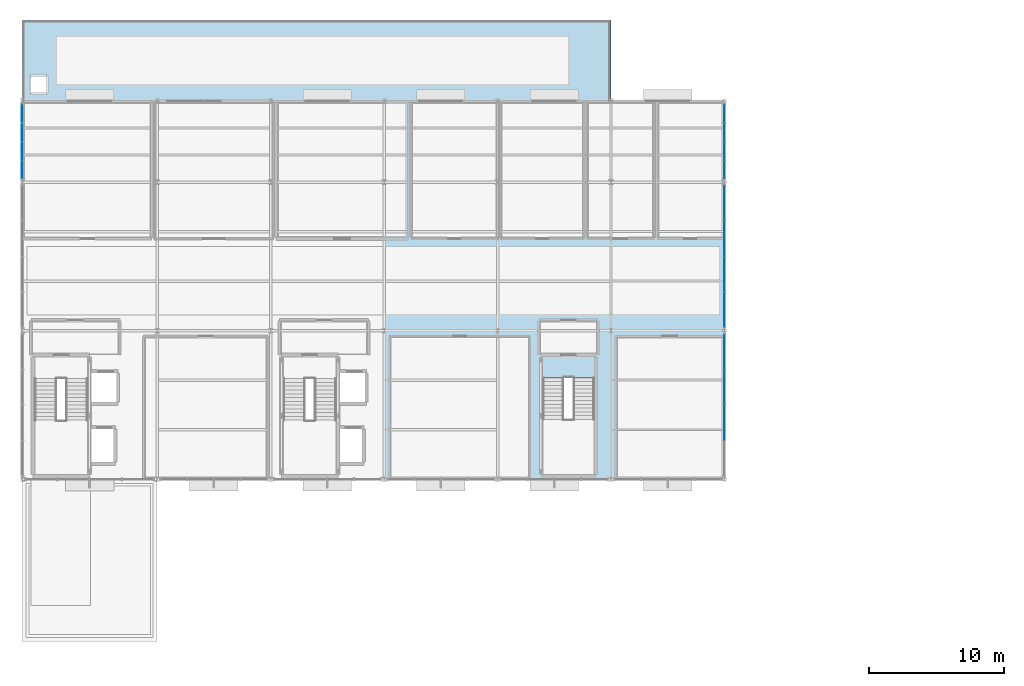
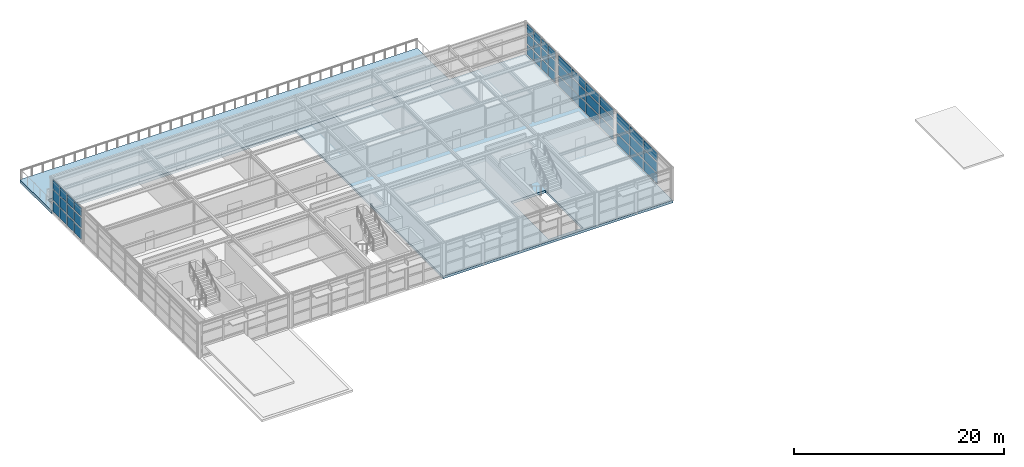
# One storey, part 12 of 21: 45 plates, 2 slabs, 4 elements without a shape of their own.
"""IFC4 building model written with IfcOpenShell, lengths in metres."""

from ifc_helpers import new_model, si_unit, direction, frame, origin, origin_2d, place, context, subcontext, project, spatial, polyline, rectangle, outline, extrude, material, layer, layer_set, type_object, element, aggregate, save


model = new_model("IFC4")

# Units and contexts
model_context = context("Model", 3, precision=1e-05, world=origin(), true_north=direction((0.0, 1.0)))
body_context = subcontext(model_context, "Body", "Model", "MODEL_VIEW")
ifc_project = project(units=[si_unit("LENGTHUNIT", "METRE"), si_unit("AREAUNIT", "SQUARE_METRE"), si_unit("VOLUMEUNIT", "CUBIC_METRE"), si_unit("PLANEANGLEUNIT", "RADIAN"), si_unit("MASSUNIT", "GRAM", prefix="KILO")], contexts=[model_context])

# Site, building, storey
site_placement = place(None, origin())
site = spatial("IfcSite", under=ifc_project, at=site_placement, CompositionType="ELEMENT")
building_placement = place(site_placement, origin())
building = spatial("IfcBuilding", under=site, at=building_placement, Name="Sitalva Quay Ferry Terminal", CompositionType="ELEMENT")
storey_placement = place(building_placement, frame((0.0, 0.0, 14.39990234375)))
storey = spatial("IfcBuildingStorey", under=building, at=storey_placement, Name="L04", CompositionType="ELEMENT", Elevation=14.39990234375)

# Curtain wall, plates
ifc_material_1 = material(Name="Anodised Aluminium & Low-E Glazing", Category="aluminium")
ifc_layer_1 = layer(ifc_material_1, 0.159912109375)
ifc_layer_set_1 = layer_set([ifc_layer_1], Name="Anodised Aluminium & Low-E Glazing")
curtain_wall_type = type_object("IfcCurtainWallType", Name="CW_Office_Unitised", PredefinedType="USERDEFINED", material=ifc_layer_set_1)
curtain_wall_1_placement = place(storey_placement, origin())
curtain_wall_1 = element("IfcCurtainWall", 1, at=curtain_wall_1_placement, inside=storey, type_object=curtain_wall_type, Name="L04 pilotage east glazing (CW-L04-138)", ObjectType="CURTAIN_WALL", PredefinedType="USERDEFINED")
ifc_material_2 = material(Name="Solar-Control Low-E Glazing", Category="glass")
ifc_layer_2 = layer(ifc_material_2, 0.031982421875)
ifc_layer_set_2 = layer_set([ifc_layer_2], Name="Solar-Control Low-E Glazing")
plate_type = type_object("IfcPlateType", Name="Panel_Solar_IGU_32", PredefinedType="CURTAIN_PANEL", material=ifc_layer_set_2)
plate_1_placement = place(storey_placement, frame((126.0, 82.1875, 0.150146484375), z_axis=(0.0, 0.0, 1.0), x_axis=(0.0, 1.0, 0.0)))
plate_1 = element("IfcPlate", 2, at=plate_1_placement, type_object=plate_type, Name="CW-L04-138-P1-0", PredefinedType="CURTAIN_PANEL", context=body_context, shape_type="SweptSolid", body=[
    extrude(rectangle(XDim=2.550048828125, YDim=0.031982421875, at=origin_2d()), origin(), (0.0, 0.0, 1.0), 1.13330078125),
])
plate_2_placement = place(storey_placement, frame((126.0, 82.1875, 1.433349609375), z_axis=(0.0, 0.0, 1.0), x_axis=(0.0, 1.0, 0.0)))
plate_2 = element("IfcPlate", 3, at=plate_2_placement, type_object=plate_type, Name="CW-L04-138-P1-1", PredefinedType="CURTAIN_PANEL", context=body_context, shape_type="SweptSolid", body=[
    extrude(rectangle(XDim=2.550048828125, YDim=0.031982421875, at=origin_2d()), origin(), (0.0, 0.0, 1.0), 1.13330078125),
])
plate_3_placement = place(storey_placement, frame((126.0, 82.1875, 2.716796875), z_axis=(0.0, 0.0, 1.0), x_axis=(0.0, 1.0, 0.0)))
plate_3 = element("IfcPlate", 4, at=plate_3_placement, type_object=plate_type, Name="CW-L04-138-P1-2", PredefinedType="CURTAIN_PANEL", context=body_context, shape_type="SweptSolid", body=[
    extrude(rectangle(XDim=2.550048828125, YDim=0.031982421875, at=origin_2d()), origin(), (0.0, 0.0, 1.0), 0.9833984375),
])
plate_4_placement = place(storey_placement, frame((126.0, 84.8125, 0.150146484375), z_axis=(0.0, 0.0, 1.0), x_axis=(0.0, 1.0, 0.0)))
plate_4 = element("IfcPlate", 5, at=plate_4_placement, type_object=plate_type, Name="CW-L04-138-P2-0", PredefinedType="CURTAIN_PANEL", context=body_context, shape_type="SweptSolid", body=[
    extrude(rectangle(XDim=2.550048828125, YDim=0.031982421875, at=origin_2d()), origin(), (0.0, 0.0, 1.0), 1.13330078125),
])
plate_5_placement = place(storey_placement, frame((126.0, 84.8125, 1.433349609375), z_axis=(0.0, 0.0, 1.0), x_axis=(0.0, 1.0, 0.0)))
plate_5 = element("IfcPlate", 6, at=plate_5_placement, type_object=plate_type, Name="CW-L04-138-P2-1", PredefinedType="CURTAIN_PANEL", context=body_context, shape_type="SweptSolid", body=[
    extrude(rectangle(XDim=2.550048828125, YDim=0.031982421875, at=origin_2d()), origin(), (0.0, 0.0, 1.0), 1.13330078125),
])
plate_6_placement = place(storey_placement, frame((126.0, 84.8125, 2.716796875), z_axis=(0.0, 0.0, 1.0), x_axis=(0.0, 1.0, 0.0)))
plate_6 = element("IfcPlate", 7, at=plate_6_placement, type_object=plate_type, Name="CW-L04-138-P2-2", PredefinedType="CURTAIN_PANEL", context=body_context, shape_type="SweptSolid", body=[
    extrude(rectangle(XDim=2.550048828125, YDim=0.031982421875, at=origin_2d()), origin(), (0.0, 0.0, 1.0), 0.9833984375),
])
plate_7_placement = place(storey_placement, frame((126.0, 87.4375, 0.150146484375), z_axis=(0.0, 0.0, 1.0), x_axis=(0.0, 1.0, 0.0)))
plate_7 = element("IfcPlate", 8, at=plate_7_placement, type_object=plate_type, Name="CW-L04-138-P3-0", PredefinedType="CURTAIN_PANEL", context=body_context, shape_type="SweptSolid", body=[
    extrude(rectangle(XDim=2.550048828125, YDim=0.031982421875, at=origin_2d()), origin(), (0.0, 0.0, 1.0), 1.13330078125),
])
plate_8_placement = place(storey_placement, frame((126.0, 87.4375, 1.433349609375), z_axis=(0.0, 0.0, 1.0), x_axis=(0.0, 1.0, 0.0)))
plate_8 = element("IfcPlate", 9, at=plate_8_placement, type_object=plate_type, Name="CW-L04-138-P3-1", PredefinedType="CURTAIN_PANEL", context=body_context, shape_type="SweptSolid", body=[
    extrude(rectangle(XDim=2.550048828125, YDim=0.031982421875, at=origin_2d()), origin(), (0.0, 0.0, 1.0), 1.13330078125),
])
plate_9_placement = place(storey_placement, frame((126.0, 87.4375, 2.716796875), z_axis=(0.0, 0.0, 1.0), x_axis=(0.0, 1.0, 0.0)))
plate_9 = element("IfcPlate", 10, at=plate_9_placement, type_object=plate_type, Name="CW-L04-138-P3-2", PredefinedType="CURTAIN_PANEL", context=body_context, shape_type="SweptSolid", body=[
    extrude(rectangle(XDim=2.550048828125, YDim=0.031982421875, at=origin_2d()), origin(), (0.0, 0.0, 1.0), 0.9833984375),
])
aggregate(curtain_wall_1, [plate_1, plate_2, plate_3, plate_4, plate_5, plate_6, plate_7, plate_8, plate_9])

curtain_wall_2_placement = place(storey_placement, origin())
curtain_wall_2 = element("IfcCurtainWall", 11, at=curtain_wall_2_placement, inside=storey, type_object=curtain_wall_type, Name="L04 pilotage east glazing (CW-L04-140)", ObjectType="CURTAIN_WALL", PredefinedType="USERDEFINED")
plate_10_placement = place(storey_placement, frame((126.0, 90.5625, 0.150146484375), z_axis=(0.0, 0.0, 1.0), x_axis=(0.0, 1.0, 0.0)))
plate_10 = element("IfcPlate", 12, at=plate_10_placement, type_object=plate_type, Name="CW-L04-140-P0-0", PredefinedType="CURTAIN_PANEL", context=body_context, shape_type="SweptSolid", body=[
    extrude(rectangle(XDim=2.550048828125, YDim=0.031982421875, at=origin_2d()), origin(), (0.0, 0.0, 1.0), 1.13330078125),
])
plate_11_placement = place(storey_placement, frame((126.0, 90.5625, 1.433349609375), z_axis=(0.0, 0.0, 1.0), x_axis=(0.0, 1.0, 0.0)))
plate_11 = element("IfcPlate", 13, at=plate_11_placement, type_object=plate_type, Name="CW-L04-140-P0-1", PredefinedType="CURTAIN_PANEL", context=body_context, shape_type="SweptSolid", body=[
    extrude(rectangle(XDim=2.550048828125, YDim=0.031982421875, at=origin_2d()), origin(), (0.0, 0.0, 1.0), 1.13330078125),
])
plate_12_placement = place(storey_placement, frame((126.0, 90.5625, 2.716796875), z_axis=(0.0, 0.0, 1.0), x_axis=(0.0, 1.0, 0.0)))
plate_12 = element("IfcPlate", 14, at=plate_12_placement, type_object=plate_type, Name="CW-L04-140-P0-2", PredefinedType="CURTAIN_PANEL", context=body_context, shape_type="SweptSolid", body=[
    extrude(rectangle(XDim=2.550048828125, YDim=0.031982421875, at=origin_2d()), origin(), (0.0, 0.0, 1.0), 0.9833984375),
])
plate_13_placement = place(storey_placement, frame((126.0, 93.1875, 0.150146484375), z_axis=(0.0, 0.0, 1.0), x_axis=(0.0, 1.0, 0.0)))
plate_13 = element("IfcPlate", 15, at=plate_13_placement, type_object=plate_type, Name="CW-L04-140-P1-0", PredefinedType="CURTAIN_PANEL", context=body_context, shape_type="SweptSolid", body=[
    extrude(rectangle(XDim=2.550048828125, YDim=0.031982421875, at=origin_2d()), origin(), (0.0, 0.0, 1.0), 1.13330078125),
])
plate_14_placement = place(storey_placement, frame((126.0, 93.1875, 1.433349609375), z_axis=(0.0, 0.0, 1.0), x_axis=(0.0, 1.0, 0.0)))
plate_14 = element("IfcPlate", 16, at=plate_14_placement, type_object=plate_type, Name="CW-L04-140-P1-1", PredefinedType="CURTAIN_PANEL", context=body_context, shape_type="SweptSolid", body=[
    extrude(rectangle(XDim=2.550048828125, YDim=0.031982421875, at=origin_2d()), origin(), (0.0, 0.0, 1.0), 1.13330078125),
])
plate_15_placement = place(storey_placement, frame((126.0, 93.1875, 2.716796875), z_axis=(0.0, 0.0, 1.0), x_axis=(0.0, 1.0, 0.0)))
plate_15 = element("IfcPlate", 17, at=plate_15_placement, type_object=plate_type, Name="CW-L04-140-P1-2", PredefinedType="CURTAIN_PANEL", context=body_context, shape_type="SweptSolid", body=[
    extrude(rectangle(XDim=2.550048828125, YDim=0.031982421875, at=origin_2d()), origin(), (0.0, 0.0, 1.0), 0.9833984375),
])
plate_16_placement = place(storey_placement, frame((126.0, 95.8125, 0.150146484375), z_axis=(0.0, 0.0, 1.0), x_axis=(0.0, 1.0, 0.0)))
plate_16 = element("IfcPlate", 18, at=plate_16_placement, type_object=plate_type, Name="CW-L04-140-P2-0", PredefinedType="CURTAIN_PANEL", context=body_context, shape_type="SweptSolid", body=[
    extrude(rectangle(XDim=2.550048828125, YDim=0.031982421875, at=origin_2d()), origin(), (0.0, 0.0, 1.0), 1.13330078125),
])
plate_17_placement = place(storey_placement, frame((126.0, 95.8125, 1.433349609375), z_axis=(0.0, 0.0, 1.0), x_axis=(0.0, 1.0, 0.0)))
plate_17 = element("IfcPlate", 19, at=plate_17_placement, type_object=plate_type, Name="CW-L04-140-P2-1", PredefinedType="CURTAIN_PANEL", context=body_context, shape_type="SweptSolid", body=[
    extrude(rectangle(XDim=2.550048828125, YDim=0.031982421875, at=origin_2d()), origin(), (0.0, 0.0, 1.0), 1.13330078125),
])
plate_18_placement = place(storey_placement, frame((126.0, 95.8125, 2.716796875), z_axis=(0.0, 0.0, 1.0), x_axis=(0.0, 1.0, 0.0)))
plate_18 = element("IfcPlate", 20, at=plate_18_placement, type_object=plate_type, Name="CW-L04-140-P2-2", PredefinedType="CURTAIN_PANEL", context=body_context, shape_type="SweptSolid", body=[
    extrude(rectangle(XDim=2.550048828125, YDim=0.031982421875, at=origin_2d()), origin(), (0.0, 0.0, 1.0), 0.9833984375),
])
plate_19_placement = place(storey_placement, frame((126.0, 98.4375, 0.150146484375), z_axis=(0.0, 0.0, 1.0), x_axis=(0.0, 1.0, 0.0)))
plate_19 = element("IfcPlate", 21, at=plate_19_placement, type_object=plate_type, Name="CW-L04-140-P3-0", PredefinedType="CURTAIN_PANEL", context=body_context, shape_type="SweptSolid", body=[
    extrude(rectangle(XDim=2.550048828125, YDim=0.031982421875, at=origin_2d()), origin(), (0.0, 0.0, 1.0), 1.13330078125),
])
plate_20_placement = place(storey_placement, frame((126.0, 98.4375, 1.433349609375), z_axis=(0.0, 0.0, 1.0), x_axis=(0.0, 1.0, 0.0)))
plate_20 = element("IfcPlate", 22, at=plate_20_placement, type_object=plate_type, Name="CW-L04-140-P3-1", PredefinedType="CURTAIN_PANEL", context=body_context, shape_type="SweptSolid", body=[
    extrude(rectangle(XDim=2.550048828125, YDim=0.031982421875, at=origin_2d()), origin(), (0.0, 0.0, 1.0), 1.13330078125),
])
plate_21_placement = place(storey_placement, frame((126.0, 98.4375, 2.716796875), z_axis=(0.0, 0.0, 1.0), x_axis=(0.0, 1.0, 0.0)))
plate_21 = element("IfcPlate", 23, at=plate_21_placement, type_object=plate_type, Name="CW-L04-140-P3-2", PredefinedType="CURTAIN_PANEL", context=body_context, shape_type="SweptSolid", body=[
    extrude(rectangle(XDim=2.550048828125, YDim=0.031982421875, at=origin_2d()), origin(), (0.0, 0.0, 1.0), 0.9833984375),
])
aggregate(curtain_wall_2, [plate_10, plate_11, plate_12, plate_13, plate_14, plate_15, plate_16, plate_17, plate_18, plate_19, plate_20, plate_21])

curtain_wall_3_placement = place(storey_placement, origin())
curtain_wall_3 = element("IfcCurtainWall", 24, at=curtain_wall_3_placement, inside=storey, type_object=curtain_wall_type, Name="L04 pilotage west glazing (CW-L04-141)", ObjectType="CURTAIN_WALL", PredefinedType="USERDEFINED")
plate_22_placement = place(storey_placement, frame((74.0, 100.9375, 0.14990234375), z_axis=(0.0, 0.0, 1.0), x_axis=(0.0, 1.0, 0.0)))
plate_22 = element("IfcPlate", 25, at=plate_22_placement, type_object=plate_type, Name="CW-L04-141-P0-0", PredefinedType="CURTAIN_PANEL", context=body_context, shape_type="SweptSolid", body=[
    extrude(rectangle(XDim=1.300048828125, YDim=0.031982421875, at=origin_2d()), origin(), (0.0, 0.0, 1.0), 1.166748046875),
])
plate_23_placement = place(storey_placement, frame((74.0, 100.9375, 1.466796875), z_axis=(0.0, 0.0, 1.0), x_axis=(0.0, 1.0, 0.0)))
plate_23 = element("IfcPlate", 26, at=plate_23_placement, type_object=plate_type, Name="CW-L04-141-P0-1", PredefinedType="CURTAIN_PANEL", context=body_context, shape_type="SweptSolid", body=[
    extrude(rectangle(XDim=1.300048828125, YDim=0.031982421875, at=origin_2d()), origin(), (0.0, 0.0, 1.0), 1.166748046875),
])
plate_24_placement = place(storey_placement, frame((74.0, 100.9375, 2.783447265625), z_axis=(0.0, 0.0, 1.0), x_axis=(0.0, 1.0, 0.0)))
plate_24 = element("IfcPlate", 27, at=plate_24_placement, type_object=plate_type, Name="CW-L04-141-P0-2", PredefinedType="CURTAIN_PANEL", context=body_context, shape_type="SweptSolid", body=[
    extrude(rectangle(XDim=1.300048828125, YDim=0.031982421875, at=origin_2d()), origin(), (0.0, 0.0, 1.0), 1.0166015625),
])
plate_25_placement = place(storey_placement, frame((74.0, 102.3125, 0.14990234375), z_axis=(0.0, 0.0, 1.0), x_axis=(0.0, 1.0, 0.0)))
plate_25 = element("IfcPlate", 28, at=plate_25_placement, type_object=plate_type, Name="CW-L04-141-P1-0", PredefinedType="CURTAIN_PANEL", context=body_context, shape_type="SweptSolid", body=[
    extrude(rectangle(XDim=1.300048828125, YDim=0.031982421875, at=origin_2d()), origin(), (0.0, 0.0, 1.0), 1.166748046875),
])
plate_26_placement = place(storey_placement, frame((74.0, 102.3125, 1.466796875), z_axis=(0.0, 0.0, 1.0), x_axis=(0.0, 1.0, 0.0)))
plate_26 = element("IfcPlate", 29, at=plate_26_placement, type_object=plate_type, Name="CW-L04-141-P1-1", PredefinedType="CURTAIN_PANEL", context=body_context, shape_type="SweptSolid", body=[
    extrude(rectangle(XDim=1.300048828125, YDim=0.031982421875, at=origin_2d()), origin(), (0.0, 0.0, 1.0), 1.166748046875),
])
plate_27_placement = place(storey_placement, frame((74.0, 102.3125, 2.783447265625), z_axis=(0.0, 0.0, 1.0), x_axis=(0.0, 1.0, 0.0)))
plate_27 = element("IfcPlate", 30, at=plate_27_placement, type_object=plate_type, Name="CW-L04-141-P1-2", PredefinedType="CURTAIN_PANEL", context=body_context, shape_type="SweptSolid", body=[
    extrude(rectangle(XDim=1.300048828125, YDim=0.031982421875, at=origin_2d()), origin(), (0.0, 0.0, 1.0), 1.0166015625),
])
plate_28_placement = place(storey_placement, frame((74.0, 103.6875, 0.14990234375), z_axis=(0.0, 0.0, 1.0), x_axis=(0.0, 1.0, 0.0)))
plate_28 = element("IfcPlate", 31, at=plate_28_placement, type_object=plate_type, Name="CW-L04-141-P2-0", PredefinedType="CURTAIN_PANEL", context=body_context, shape_type="SweptSolid", body=[
    extrude(rectangle(XDim=1.300048828125, YDim=0.031982421875, at=origin_2d()), origin(), (0.0, 0.0, 1.0), 1.166748046875),
])
plate_29_placement = place(storey_placement, frame((74.0, 103.6875, 1.466796875), z_axis=(0.0, 0.0, 1.0), x_axis=(0.0, 1.0, 0.0)))
plate_29 = element("IfcPlate", 32, at=plate_29_placement, type_object=plate_type, Name="CW-L04-141-P2-1", PredefinedType="CURTAIN_PANEL", context=body_context, shape_type="SweptSolid", body=[
    extrude(rectangle(XDim=1.300048828125, YDim=0.031982421875, at=origin_2d()), origin(), (0.0, 0.0, 1.0), 1.166748046875),
])
plate_30_placement = place(storey_placement, frame((74.0, 103.6875, 2.783447265625), z_axis=(0.0, 0.0, 1.0), x_axis=(0.0, 1.0, 0.0)))
plate_30 = element("IfcPlate", 33, at=plate_30_placement, type_object=plate_type, Name="CW-L04-141-P2-2", PredefinedType="CURTAIN_PANEL", context=body_context, shape_type="SweptSolid", body=[
    extrude(rectangle(XDim=1.300048828125, YDim=0.031982421875, at=origin_2d()), origin(), (0.0, 0.0, 1.0), 1.0166015625),
])
plate_31_placement = place(storey_placement, frame((74.0, 105.0625, 0.14990234375), z_axis=(0.0, 0.0, 1.0), x_axis=(0.0, 1.0, 0.0)))
plate_31 = element("IfcPlate", 34, at=plate_31_placement, type_object=plate_type, Name="CW-L04-141-P3-0", PredefinedType="CURTAIN_PANEL", context=body_context, shape_type="SweptSolid", body=[
    extrude(rectangle(XDim=1.300048828125, YDim=0.031982421875, at=origin_2d()), origin(), (0.0, 0.0, 1.0), 1.166748046875),
])
plate_32_placement = place(storey_placement, frame((74.0, 105.0625, 1.466796875), z_axis=(0.0, 0.0, 1.0), x_axis=(0.0, 1.0, 0.0)))
plate_32 = element("IfcPlate", 35, at=plate_32_placement, type_object=plate_type, Name="CW-L04-141-P3-1", PredefinedType="CURTAIN_PANEL", context=body_context, shape_type="SweptSolid", body=[
    extrude(rectangle(XDim=1.300048828125, YDim=0.031982421875, at=origin_2d()), origin(), (0.0, 0.0, 1.0), 1.166748046875),
])
plate_33_placement = place(storey_placement, frame((74.0, 105.0625, 2.783447265625), z_axis=(0.0, 0.0, 1.0), x_axis=(0.0, 1.0, 0.0)))
plate_33 = element("IfcPlate", 36, at=plate_33_placement, type_object=plate_type, Name="CW-L04-141-P3-2", PredefinedType="CURTAIN_PANEL", context=body_context, shape_type="SweptSolid", body=[
    extrude(rectangle(XDim=1.300048828125, YDim=0.031982421875, at=origin_2d()), origin(), (0.0, 0.0, 1.0), 1.0166015625),
])
aggregate(curtain_wall_3, [plate_22, plate_23, plate_24, plate_25, plate_26, plate_27, plate_28, plate_29, plate_30, plate_31, plate_32, plate_33])

curtain_wall_4_placement = place(storey_placement, origin())
curtain_wall_4 = element("IfcCurtainWall", 37, at=curtain_wall_4_placement, inside=storey, type_object=curtain_wall_type, Name="L04 pilotage east glazing (CW-L04-142)", ObjectType="CURTAIN_WALL", PredefinedType="USERDEFINED")
plate_34_placement = place(storey_placement, frame((126.0, 100.9375, 0.150146484375), z_axis=(0.0, 0.0, 1.0), x_axis=(0.0, 1.0, 0.0)))
plate_34 = element("IfcPlate", 38, at=plate_34_placement, type_object=plate_type, Name="CW-L04-142-P0-0", PredefinedType="CURTAIN_PANEL", context=body_context, shape_type="SweptSolid", body=[
    extrude(rectangle(XDim=1.300048828125, YDim=0.031982421875, at=origin_2d()), origin(), (0.0, 0.0, 1.0), 1.13330078125),
])
plate_35_placement = place(storey_placement, frame((126.0, 100.9375, 1.433349609375), z_axis=(0.0, 0.0, 1.0), x_axis=(0.0, 1.0, 0.0)))
plate_35 = element("IfcPlate", 39, at=plate_35_placement, type_object=plate_type, Name="CW-L04-142-P0-1", PredefinedType="CURTAIN_PANEL", context=body_context, shape_type="SweptSolid", body=[
    extrude(rectangle(XDim=1.300048828125, YDim=0.031982421875, at=origin_2d()), origin(), (0.0, 0.0, 1.0), 1.13330078125),
])
plate_36_placement = place(storey_placement, frame((126.0, 100.9375, 2.716796875), z_axis=(0.0, 0.0, 1.0), x_axis=(0.0, 1.0, 0.0)))
plate_36 = element("IfcPlate", 40, at=plate_36_placement, type_object=plate_type, Name="CW-L04-142-P0-2", PredefinedType="CURTAIN_PANEL", context=body_context, shape_type="SweptSolid", body=[
    extrude(rectangle(XDim=1.300048828125, YDim=0.031982421875, at=origin_2d()), origin(), (0.0, 0.0, 1.0), 0.9833984375),
])
plate_37_placement = place(storey_placement, frame((126.0, 102.3125, 0.150146484375), z_axis=(0.0, 0.0, 1.0), x_axis=(0.0, 1.0, 0.0)))
plate_37 = element("IfcPlate", 41, at=plate_37_placement, type_object=plate_type, Name="CW-L04-142-P1-0", PredefinedType="CURTAIN_PANEL", context=body_context, shape_type="SweptSolid", body=[
    extrude(rectangle(XDim=1.300048828125, YDim=0.031982421875, at=origin_2d()), origin(), (0.0, 0.0, 1.0), 1.13330078125),
])
plate_38_placement = place(storey_placement, frame((126.0, 102.3125, 1.433349609375), z_axis=(0.0, 0.0, 1.0), x_axis=(0.0, 1.0, 0.0)))
plate_38 = element("IfcPlate", 42, at=plate_38_placement, type_object=plate_type, Name="CW-L04-142-P1-1", PredefinedType="CURTAIN_PANEL", context=body_context, shape_type="SweptSolid", body=[
    extrude(rectangle(XDim=1.300048828125, YDim=0.031982421875, at=origin_2d()), origin(), (0.0, 0.0, 1.0), 1.13330078125),
])
plate_39_placement = place(storey_placement, frame((126.0, 102.3125, 2.716796875), z_axis=(0.0, 0.0, 1.0), x_axis=(0.0, 1.0, 0.0)))
plate_39 = element("IfcPlate", 43, at=plate_39_placement, type_object=plate_type, Name="CW-L04-142-P1-2", PredefinedType="CURTAIN_PANEL", context=body_context, shape_type="SweptSolid", body=[
    extrude(rectangle(XDim=1.300048828125, YDim=0.031982421875, at=origin_2d()), origin(), (0.0, 0.0, 1.0), 0.9833984375),
])
plate_40_placement = place(storey_placement, frame((126.0, 103.6875, 0.150146484375), z_axis=(0.0, 0.0, 1.0), x_axis=(0.0, 1.0, 0.0)))
plate_40 = element("IfcPlate", 44, at=plate_40_placement, type_object=plate_type, Name="CW-L04-142-P2-0", PredefinedType="CURTAIN_PANEL", context=body_context, shape_type="SweptSolid", body=[
    extrude(rectangle(XDim=1.300048828125, YDim=0.031982421875, at=origin_2d()), origin(), (0.0, 0.0, 1.0), 1.13330078125),
])
plate_41_placement = place(storey_placement, frame((126.0, 103.6875, 1.433349609375), z_axis=(0.0, 0.0, 1.0), x_axis=(0.0, 1.0, 0.0)))
plate_41 = element("IfcPlate", 45, at=plate_41_placement, type_object=plate_type, Name="CW-L04-142-P2-1", PredefinedType="CURTAIN_PANEL", context=body_context, shape_type="SweptSolid", body=[
    extrude(rectangle(XDim=1.300048828125, YDim=0.031982421875, at=origin_2d()), origin(), (0.0, 0.0, 1.0), 1.13330078125),
])
plate_42_placement = place(storey_placement, frame((126.0, 103.6875, 2.716796875), z_axis=(0.0, 0.0, 1.0), x_axis=(0.0, 1.0, 0.0)))
plate_42 = element("IfcPlate", 46, at=plate_42_placement, type_object=plate_type, Name="CW-L04-142-P2-2", PredefinedType="CURTAIN_PANEL", context=body_context, shape_type="SweptSolid", body=[
    extrude(rectangle(XDim=1.300048828125, YDim=0.031982421875, at=origin_2d()), origin(), (0.0, 0.0, 1.0), 0.9833984375),
])
plate_43_placement = place(storey_placement, frame((126.0, 105.0625, 0.150146484375), z_axis=(0.0, 0.0, 1.0), x_axis=(0.0, 1.0, 0.0)))
plate_43 = element("IfcPlate", 47, at=plate_43_placement, type_object=plate_type, Name="CW-L04-142-P3-0", PredefinedType="CURTAIN_PANEL", context=body_context, shape_type="SweptSolid", body=[
    extrude(rectangle(XDim=1.300048828125, YDim=0.031982421875, at=origin_2d()), origin(), (0.0, 0.0, 1.0), 1.13330078125),
])
plate_44_placement = place(storey_placement, frame((126.0, 105.0625, 1.433349609375), z_axis=(0.0, 0.0, 1.0), x_axis=(0.0, 1.0, 0.0)))
plate_44 = element("IfcPlate", 48, at=plate_44_placement, type_object=plate_type, Name="CW-L04-142-P3-1", PredefinedType="CURTAIN_PANEL", context=body_context, shape_type="SweptSolid", body=[
    extrude(rectangle(XDim=1.300048828125, YDim=0.031982421875, at=origin_2d()), origin(), (0.0, 0.0, 1.0), 1.13330078125),
])
plate_45_placement = place(storey_placement, frame((126.0, 105.0625, 2.716796875), z_axis=(0.0, 0.0, 1.0), x_axis=(0.0, 1.0, 0.0)))
plate_45 = element("IfcPlate", 49, at=plate_45_placement, type_object=plate_type, Name="CW-L04-142-P3-2", PredefinedType="CURTAIN_PANEL", context=body_context, shape_type="SweptSolid", body=[
    extrude(rectangle(XDim=1.300048828125, YDim=0.031982421875, at=origin_2d()), origin(), (0.0, 0.0, 1.0), 0.9833984375),
])
aggregate(curtain_wall_4, [plate_34, plate_35, plate_36, plate_37, plate_38, plate_39, plate_40, plate_41, plate_42, plate_43, plate_44, plate_45])

# Slabs
ifc_material_3 = material(Name="Concrete C35/45", Category="concrete")
ifc_layer_3 = layer(ifc_material_3, 0.280029296875)
ifc_layer_set_3 = layer_set([ifc_layer_3], Name="Concrete C35/45")
slab_type_1 = type_object("IfcSlabType", Name="Slab_Concourse_280", PredefinedType="FLOOR", material=ifc_layer_set_3)
slab_1_placement = place(storey_placement, frame((0.0, 0.0, -0.27978515625)))
element("IfcSlab", 50, at=slab_1_placement, inside=storey, type_object=slab_type_1, Name="L04 Navigation bridge L04 east 064", PredefinedType="FLOOR", context=body_context, shape_type="SweptSolid", body=[
    extrude(outline(polyline([(100.800048828125, 78.0), (126.0, 78.0), (126.0, 106.0), (100.800048828125, 106.0), (100.800048828125, 78.0)]), holes=[polyline([(112.550048828125, 78.35009765625), (112.550048828125, 85.489990234375), (116.35009765625, 85.489990234375), (116.35009765625, 78.35009765625), (112.550048828125, 78.35009765625)])]), origin(), (0.0, 0.0, 1.0), 0.27978515625),
])
ifc_material_4 = material(Name="Concrete C35/45", Category="concrete")
ifc_layer_4 = layer(ifc_material_4, 0.35009765625)
ifc_layer_set_4 = layer_set([ifc_layer_4], Name="Concrete C35/45")
slab_type_2 = type_object("IfcSlabType", Name="Slab_RoofGarden_350", PredefinedType="ROOF", material=ifc_layer_set_4)
slab_2_placement = place(storey_placement, frame((0.0, 0.0, -0.349853515625)))
element("IfcSlab", 51, at=slab_2_placement, inside=storey, type_object=slab_type_2, Name="L04 L04 north forecourt roof garden 062", PredefinedType="ROOF", context=body_context, shape_type="SweptSolid", body=[
    extrude(outline(polyline([(74.0, 106.0), (117.60009765625, 106.0), (117.60009765625, 112.0), (74.0, 112.0), (74.0, 106.0)]), holes=[polyline([(74.64990234375, 106.64990234375), (74.64990234375, 107.800048828125), (75.800048828125, 107.800048828125), (75.800048828125, 106.64990234375), (74.64990234375, 106.64990234375)])]), origin(), (0.0, 0.0, 1.0), 0.349853515625),
])

save(model, "model.ifc")
